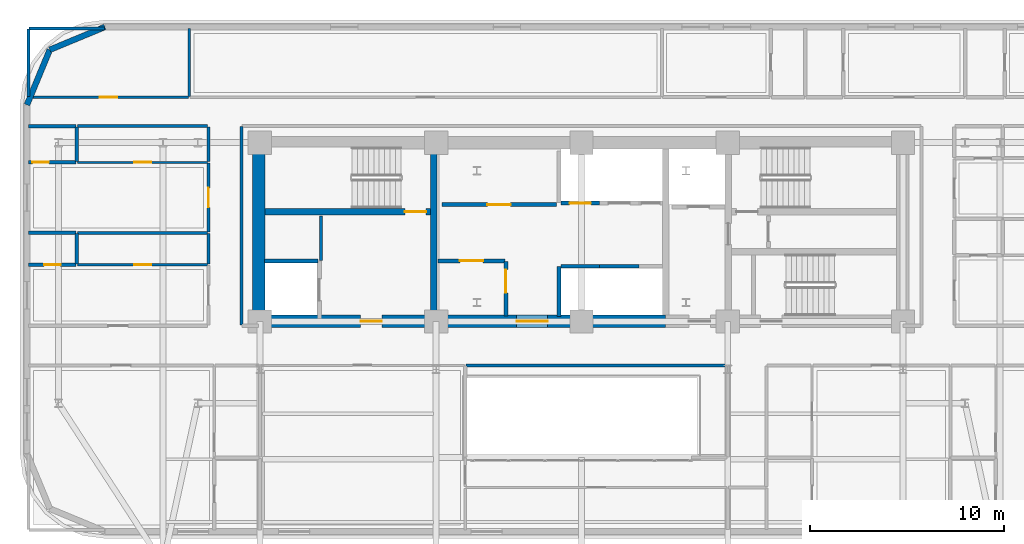
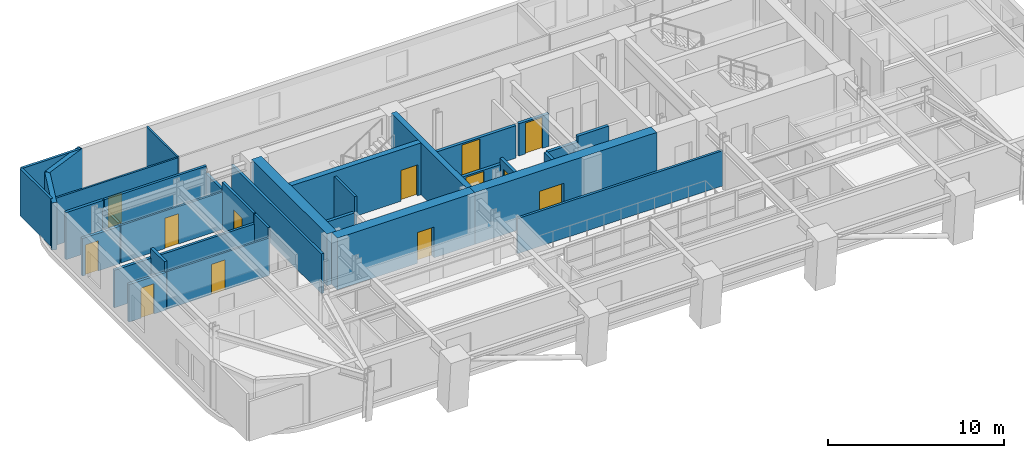
# One storey, part 8 of 14: 35 walls, 13 doors, 13 openings.
"""IFC4 building model written with IfcOpenShell, lengths in metres."""

from ifc_helpers import new_model, si_unit, direction, frame, frame_2d, origin, place, context, subcontext, project, spatial, rectangle, extrude, material, layer, layer_set, type_object, element, fill, save


model = new_model("IFC4")

# Units and contexts
model_context = context("Model", 3, precision=1e-05, world=origin(), true_north=direction((0.0, 1.0)))
body_context = subcontext(model_context, "Body", "Model", "MODEL_VIEW")
ifc_project = project(units=[si_unit("LENGTHUNIT", "METRE"), si_unit("AREAUNIT", "SQUARE_METRE"), si_unit("VOLUMEUNIT", "CUBIC_METRE"), si_unit("PLANEANGLEUNIT", "RADIAN"), si_unit("MASSUNIT", "GRAM", prefix="KILO")], contexts=[model_context])

# Site, building, storey
site_placement = place(None, origin())
site = spatial("IfcSite", under=ifc_project, at=site_placement, CompositionType="ELEMENT")
building_placement = place(site_placement, origin())
building = spatial("IfcBuilding", under=site, at=building_placement, Name="Zarnavel Station Tower", CompositionType="ELEMENT")
storey_placement = place(building_placement, frame((0.0, 0.0, 129.300048828125)))
storey = spatial("IfcBuildingStorey", under=building, at=storey_placement, Name="L35", CompositionType="ELEMENT", Elevation=129.300048828125)

# Wall
ifc_material_1 = material(Name="Concrete C50/60", Category="concrete")
ifc_layer_1 = layer(ifc_material_1, 0.35009765625)
ifc_layer_set_1 = layer_set([ifc_layer_1], Name="CW_350")
wall_type_1 = type_object("IfcWallType", Name="CW_350", PredefinedType="SHEAR", material=ifc_layer_set_1)
wall_1_placement = place(storey_placement, frame((21.179931640625, 28.14501953125, 0.0), z_axis=(0.0, 0.0, 1.0), x_axis=(0.0, 1.0, 0.0)))
element("IfcWall", 1, at=wall_1_placement, inside=storey, type_object=wall_type_1, Name="L35 Rear Core Shear Wall DIV-W", PredefinedType="SHEAR", context=body_context, shape_type="SweptSolid", body=[
    extrude(rectangle(XDim=8.580078125, YDim=0.35009765625, at=frame_2d((4.2900390625, 0.0))), origin(), (0.0, 0.0, 1.0), 3.599853515625),
])

# Wall, opening, door
wall_2_placement = place(storey_placement, frame((21.0048828125, 33.47998046875, 0.0), z_axis=(0.0, 0.0, 1.0), x_axis=(-1.0, 0.0, 0.0)))
wall_2 = element("IfcWall", 2, at=wall_2_placement, inside=storey, type_object=wall_type_1, Name="L35 Rear Core Shear Wall DIV-H1", PredefinedType="SHEAR", context=body_context, shape_type="SweptSolid", body=[
    extrude(rectangle(XDim=8.52978515625, YDim=0.35009765625, at=frame_2d((4.264892578125, 0.0))), origin(), (0.0, 0.0, 1.0), 3.599853515625),
])
opening_1_placement = place(wall_2_placement, frame((0.219970703125, 0.0, 0.0)))
opening_1 = element("IfcOpeningElement", 3, at=opening_1_placement, cuts=wall_2, Name="Opening FD01", PredefinedType="OPENING", context=body_context, shape_type="SweptSolid", body=[
    extrude(rectangle(XDim=1.10009765625, YDim=2.14990234375, at=frame_2d((0.550048828125, 1.074951171875))), frame((0.0, 0.18505859375, 0.0), z_axis=(0.0, -1.0, 0.0), x_axis=(1.0, 0.0, 0.0)), (0.0, 0.0, 1.0), 0.3701171875),
])
ifc_material_2 = material(Name="Painted Galvanised Steel and Hardwood Leaf", Category="steel")
door_type_1 = type_object("IfcDoorType", Name="ID_STAIR_1100", OperationType="NOTDEFINED", PredefinedType="DOOR", material=ifc_material_2)
door_1_placement = place(opening_1_placement, origin())
door_1 = element("IfcDoor", 4, at=door_1_placement, inside=storey, type_object=door_type_1, Name="L35 Stair ST1 Lobby Fire Door", OperationType="SINGLE_SWING_LEFT", OverallHeight=2.14990234375, OverallWidth=1.10009765625, PredefinedType="DOOR", context=body_context, shape_type="SweptSolid", body=[
    extrude(rectangle(XDim=1.10009765625, YDim=2.14990234375, at=frame_2d((0.550048828125, 1.074951171875))), frame((0.0, 0.02490234375, 0.0), z_axis=(0.0, -1.0, 0.0), x_axis=(1.0, 0.0, 0.0)), (0.0, 0.0, 1.0), 0.050048828125),
])
fill(opening_1, door_1)

ifc_material_3 = material(Name="Concrete C60/75", Category="concrete")
ifc_layer_2 = layer(ifc_material_3, 0.64990234375)
ifc_layer_set_2 = layer_set([ifc_layer_2], Name="CW_650")
wall_type_2 = type_object("IfcWallType", Name="CW_650", PredefinedType="SHEAR", material=ifc_layer_set_2)
wall_3_placement = place(storey_placement, frame((21.179931640625, 27.820068359375, 0.0), z_axis=(0.0, 0.0, 1.0), x_axis=(-1.0, 0.0, 0.0)))
wall_3 = element("IfcWall", 5, at=wall_3_placement, inside=storey, type_object=wall_type_2, Name="L35 Rear Core Shear Wall S-W", PredefinedType="SHEAR", context=body_context, shape_type="SweptSolid", body=[
    extrude(rectangle(XDim=9.030029296875, YDim=0.64990234375, at=frame_2d((4.51513671875, 0.0))), origin(), (0.0, 0.0, 1.0), 3.599853515625),
])
opening_2_placement = place(wall_3_placement, frame((2.679931640625, 0.0, 0.0)))
opening_2 = element("IfcOpeningElement", 6, at=opening_2_placement, cuts=wall_3, Name="Opening FD01", PredefinedType="OPENING", context=body_context, shape_type="SweptSolid", body=[
    extrude(rectangle(XDim=1.10009765625, YDim=2.14990234375, at=frame_2d((0.550048828125, 1.074951171875))), frame((0.0, 0.3349609375, 0.0), z_axis=(0.0, -1.0, 0.0), x_axis=(1.0, 0.0, 0.0)), (0.0, 0.0, 1.0), 0.669921875),
])
door_2_placement = place(opening_2_placement, origin())
door_2 = element("IfcDoor", 7, at=door_2_placement, inside=storey, type_object=door_type_1, Name="L35 West Firefighting Lobby Door", OperationType="SINGLE_SWING_RIGHT", OverallHeight=2.14990234375, OverallWidth=1.10009765625, PredefinedType="DOOR", context=body_context, shape_type="SweptSolid", body=[
    extrude(rectangle(XDim=1.10009765625, YDim=2.14990234375, at=frame_2d((0.550048828125, 1.074951171875))), frame((0.0, 0.02490234375, 0.0), z_axis=(0.0, -1.0, 0.0), x_axis=(1.0, 0.0, 0.0)), (0.0, 0.0, 1.0), 0.050048828125),
])
fill(opening_2, door_2)

wall_4_placement = place(storey_placement, frame((33.14990234375, 27.820068359375, 0.0), z_axis=(0.0, 0.0, 1.0), x_axis=(-1.0, 0.0, 0.0)))
wall_4 = element("IfcWall", 8, at=wall_4_placement, inside=storey, type_object=wall_type_2, Name="L35 Rear Core Shear Wall S-M", PredefinedType="SHEAR", context=body_context, shape_type="SweptSolid", body=[
    extrude(rectangle(XDim=11.969970703125, YDim=0.64990234375, at=frame_2d((5.98486328125, 0.0))), origin(), (0.0, 0.0, 1.0), 3.599853515625),
])
opening_3_placement = place(wall_4_placement, frame((6.10009765625, 0.0, 0.0)))
opening_3 = element("IfcOpeningElement", 9, at=opening_3_placement, cuts=wall_4, Name="Opening ID03", PredefinedType="OPENING", context=body_context, shape_type="SweptSolid", body=[
    extrude(rectangle(XDim=1.60009765625, YDim=2.199951171875, at=frame_2d((0.800048828125, 1.10009765625))), frame((0.0, 0.3349609375, 0.0), z_axis=(0.0, -1.0, 0.0), x_axis=(1.0, 0.0, 0.0)), (0.0, 0.0, 1.0), 0.669921875),
])
ifc_material_4 = material(Name="Painted Galvanised Steel and Hardwood Leaf", Category="steel")
door_type_2 = type_object("IfcDoorType", Name="ID_PUBLIC_1600", OperationType="DOUBLE_DOOR_SINGLE_SWING", PredefinedType="DOOR", material=ifc_material_4)
door_3_placement = place(opening_3_placement, origin())
door_3 = element("IfcDoor", 10, at=door_3_placement, inside=storey, type_object=door_type_2, Name="L35 Passenger Lift Lobby Double Door", OperationType="SINGLE_SWING_LEFT", OverallHeight=2.199951171875, OverallWidth=1.60009765625, PredefinedType="DOOR", context=body_context, shape_type="SweptSolid", body=[
    extrude(rectangle(XDim=1.60009765625, YDim=2.199951171875, at=frame_2d((0.800048828125, 1.10009765625))), frame((0.0, 0.02490234375, 0.0), z_axis=(0.0, -1.0, 0.0), x_axis=(1.0, 0.0, 0.0)), (0.0, 0.0, 1.0), 0.050048828125),
])
fill(opening_3, door_3)

# Walls
wall_5_placement = place(storey_placement, frame((12.14990234375, 28.14501953125, 0.0), z_axis=(0.0, 0.0, 1.0), x_axis=(0.0, 1.0, 0.0)))
element("IfcWall", 11, at=wall_5_placement, inside=storey, type_object=wall_type_2, Name="L35 Rear Core Shear Wall W", PredefinedType="SHEAR", context=body_context, shape_type="SweptSolid", body=[
    extrude(rectangle(XDim=8.580078125, YDim=0.64990234375, at=frame_2d((4.2900390625, 0.0))), origin(), (0.0, 0.0, 1.0), 3.599853515625),
])
ifc_material_5 = material(Name="Precast concrete C45/55 (Dark Basalt Finish)", Category="masonry")
ifc_layer_3 = layer(ifc_material_5, 0.300048828125)
ifc_layer_set_3 = layer_set([ifc_layer_3], Name="EW_BASALT_300")
wall_type_3 = type_object("IfcWallType", Name="EW_BASALT_300", PredefinedType="SOLIDWALL", material=ifc_layer_set_3)
for number, where, z_axis, x_axis, name in (
    (12, (1.357421875, 41.842529296875, 0.0), (0.0, 0.0, 1.0), (0.923870793506, 0.382704529509, 0.0), "L35 Exterior Basalt Masonry Frame Wall 07"),
    (13, (0.179931640625, 39.0, 0.0), (0.0, 0.0, 1.0), (0.382704529509, 0.923870793506, 0.0), "L35 Exterior Basalt Masonry Frame Wall 08"),
):
    element("IfcWall", number, at=place(storey_placement, frame(where, z_axis=z_axis, x_axis=x_axis)), inside=storey, type_object=wall_type_3, Name=name, PredefinedType="SOLIDWALL", context=body_context, shape_type="SweptSolid", body=[
        extrude(rectangle(XDim=3.07666015625, YDim=0.300048828125, at=frame_2d((1.538330078125, 0.0))), origin(), (0.0, 0.0, 1.0), 3.280029296875),
    ])
ifc_material_6 = material(Name="Gypsum Twin-Stud Acoustic Fire Partition", Category="concrete")
ifc_layer_4 = layer(ifc_material_6, 0.159912109375)
ifc_layer_set_4 = layer_set([ifc_layer_4], Name="PT_DEMISE_160")
wall_type_4 = type_object("IfcWallType", Name="PT_DEMISE_160", PredefinedType="PARTITIONING", material=ifc_layer_set_4)
wall_6_placement = place(storey_placement, frame((9.550048828125, 30.781005859375, 0.0), z_axis=(0.0, 0.0, 1.0), x_axis=(0.0, 1.0, 0.0)))
element("IfcWall", 14, at=wall_6_placement, inside=storey, type_object=wall_type_4, Name="L35 Partition COR-W-FNW1S", PredefinedType="PARTITIONING", context=body_context, shape_type="SweptSolid", body=[
    extrude(rectangle(XDim=1.570068359375, YDim=0.159912109375, at=frame_2d((0.78515625, 0.0))), origin(), (0.0, 0.0, 1.0), 3.280029296875),
])

# Wall, opening, door
wall_7_placement = place(storey_placement, frame((9.550048828125, 32.430908203125, 0.0), z_axis=(0.0, 0.0, 1.0), x_axis=(0.0, 1.0, 0.0)))
wall_7 = element("IfcWall", 15, at=wall_7_placement, inside=storey, type_object=wall_type_4, Name="L35 Partition COR-W-FNW2R", PredefinedType="PARTITIONING", context=body_context, shape_type="SweptSolid", body=[
    extrude(rectangle(XDim=3.55615234375, YDim=0.159912109375, at=frame_2d((1.778076171875, 0.0))), origin(), (0.0, 0.0, 1.0), 3.280029296875),
])
opening_4_placement = place(wall_7_placement, frame((1.278076171875, 0.0, 0.0)))
opening_4 = element("IfcOpeningElement", 16, at=opening_4_placement, cuts=wall_7, Name="Opening FD02", PredefinedType="OPENING", context=body_context, shape_type="SweptSolid", body=[
    extrude(rectangle(XDim=1.0, YDim=2.14990234375, at=frame_2d((0.5, 1.074951171875))), frame((0.0, 0.08984375, 0.0), z_axis=(0.0, -1.0, 0.0), x_axis=(1.0, 0.0, 0.0)), (0.0, 0.0, 1.0), 0.179931640625),
])
ifc_material_7 = material(Name="Painted Galvanised Steel and Hardwood Leaf", Category="steel")
door_type_3 = type_object("IfcDoorType", Name="ID_ENTRY_1000", OperationType="NOTDEFINED", PredefinedType="DOOR", material=ifc_material_7)
door_4_placement = place(opening_4_placement, origin())
door_4 = element("IfcDoor", 17, at=door_4_placement, inside=storey, type_object=door_type_3, Name="L35 Door COR-W-FNW2R", OperationType="SINGLE_SWING_RIGHT", OverallHeight=2.14990234375, OverallWidth=1.0, PredefinedType="DOOR", context=body_context, shape_type="SweptSolid", body=[
    extrude(rectangle(XDim=1.0, YDim=2.14990234375, at=frame_2d((0.5, 1.074951171875))), frame((0.0, 0.02490234375, 0.0), z_axis=(0.0, -1.0, 0.0), x_axis=(1.0, 0.0, 0.0)), (0.0, 0.0, 1.0), 0.050048828125),
])
fill(opening_4, door_4)

# Walls
wall_8_placement = place(storey_placement, frame((9.550048828125, 36.06689453125, 0.0), z_axis=(0.0, 0.0, 1.0), x_axis=(0.0, 1.0, 0.0)))
element("IfcWall", 18, at=wall_8_placement, inside=storey, type_object=wall_type_4, Name="L35 Partition COR-W-FNW2S", PredefinedType="PARTITIONING", context=body_context, shape_type="SweptSolid", body=[
    extrude(rectangle(XDim=1.793212890625, YDim=0.159912109375, at=frame_2d((0.896484375, 0.0))), origin(), (0.0, 0.0, 1.0), 2.760009765625),
])
wall_9_placement = place(storey_placement, frame((2.800048828125, 37.89990234375, 0.0), z_axis=(0.0, 0.0, 1.0), x_axis=(1.0, 0.0, 0.0)))
element("IfcWall", 19, at=wall_9_placement, inside=storey, type_object=wall_type_4, Name="L35 Partition COR-N-FNW2S", PredefinedType="PARTITIONING", context=body_context, shape_type="SweptSolid", body=[
    extrude(rectangle(XDim=6.7099609375, YDim=0.159912109375, at=frame_2d((3.35498046875, 0.0))), origin(), (0.0, 0.0, 1.0), 3.280029296875),
])
wall_10_placement = place(storey_placement, frame((2.800048828125, 32.39111328125, 0.0), z_axis=(0.0, 0.0, 1.0), x_axis=(1.0, 0.0, 0.0)))
element("IfcWall", 20, at=wall_10_placement, inside=storey, type_object=wall_type_4, Name="L35 Partition FNW1S-FNW2R", PredefinedType="PARTITIONING", context=body_context, shape_type="SweptSolid", body=[
    extrude(rectangle(XDim=6.7099609375, YDim=0.159912109375, at=frame_2d((3.35498046875, 0.0))), origin(), (0.0, 0.0, 1.0), 2.60986328125),
])
wall_11_placement = place(storey_placement, frame((15.35009765625, 30.9599609375, 0.0), z_axis=(0.0, 0.0, 1.0), x_axis=(0.0, 1.0, 0.0)))
element("IfcWall", 21, at=wall_11_placement, inside=storey, type_object=wall_type_4, Name="L35 Enclosure Wall FFL1", PredefinedType="PARTITIONING", context=body_context, shape_type="SweptSolid", body=[
    extrude(rectangle(XDim=2.31005859375, YDim=0.159912109375, at=frame_2d((1.155029296875, 0.0))), origin(), (0.0, 0.0, 1.0), 3.280029296875),
])
wall_12_placement = place(storey_placement, frame((22.830078125, 25.550048828125, 0.0), z_axis=(0.0, 0.0, 1.0), x_axis=(1.0, 0.0, 0.0)))
element("IfcWall", 22, at=wall_12_placement, inside=storey, type_object=wall_type_4, Name="L35 Enclosure Wall COR-S", PredefinedType="PARTITIONING", context=body_context, shape_type="SweptSolid", body=[
    extrude(rectangle(XDim=13.489990234375, YDim=0.159912109375, at=frame_2d((6.7451171875, 0.0))), origin(), (0.0, 0.0, 1.0), 2.446044921875),
])
wall_13_placement = place(storey_placement, frame((11.25, 27.6298828125, 0.0), z_axis=(0.0, 0.0, 1.0), x_axis=(0.0, 1.0, 0.0)))
element("IfcWall", 23, at=wall_13_placement, inside=storey, type_object=wall_type_4, Name="L35 Enclosure Wall COR-W", PredefinedType="PARTITIONING", context=body_context, shape_type="SweptSolid", body=[
    extrude(rectangle(XDim=10.240234375, YDim=0.159912109375, at=frame_2d((5.1201171875, 0.0))), origin(), (0.0, 0.0, 1.0), 2.760009765625),
])
wall_14_placement = place(storey_placement, frame((0.2900390625, 42.93994140625, 0.0), z_axis=(0.0, 0.0, 1.0), x_axis=(1.0, 0.0, 0.0)))
element("IfcWall", 24, at=wall_14_placement, inside=storey, type_object=wall_type_4, Name="L35 Enclosure Wall HSKP", PredefinedType="PARTITIONING", context=body_context, shape_type="SweptSolid", body=[
    extrude(rectangle(XDim=3.8798828125, YDim=0.159912109375, at=frame_2d((1.93994140625, 0.0))), origin(), (0.0, 0.0, 1.0), 3.280029296875),
])
wall_15_placement = place(storey_placement, frame((0.260009765625, 39.429931640625, 0.0), z_axis=(0.0, 0.0, 1.0), x_axis=(0.0, 1.0, 0.0)))
element("IfcWall", 25, at=wall_15_placement, inside=storey, type_object=wall_type_4, Name="L35 Enclosure Wall HSKP", PredefinedType="PARTITIONING", context=body_context, shape_type="SweptSolid", body=[
    extrude(rectangle(XDim=3.47998046875, YDim=0.159912109375, at=frame_2d((1.739990234375, 0.0))), origin(), (0.0, 0.0, 1.0), 3.280029296875),
])

# Wall, opening, door
ifc_material_8 = material(Name="Gypsum Metal-Stud Interior Partition", Category="concrete")
ifc_layer_5 = layer(ifc_material_8, 0.1201171875)
ifc_layer_set_5 = layer_set([ifc_layer_5], Name="PT_ROOM_120")
wall_type_5 = type_object("IfcWallType", Name="PT_ROOM_120", PredefinedType="PARTITIONING", material=ifc_layer_set_5)
wall_16_placement = place(storey_placement, frame((0.260009765625, 39.39990234375, 0.0), z_axis=(0.0, 0.0, 1.0), x_axis=(1.0, 0.0, 0.0)))
wall_16 = element("IfcWall", 26, at=wall_16_placement, inside=storey, type_object=wall_type_5, Name="L35 Partition COR-N-HSKP", PredefinedType="PARTITIONING", context=body_context, shape_type="SweptSolid", body=[
    extrude(rectangle(XDim=8.260009765625, YDim=0.1201171875, at=frame_2d((4.1298828125, 0.0))), origin(), (0.0, 0.0, 1.0), 3.280029296875),
])
opening_5_placement = place(wall_16_placement, frame((3.679931640625, 0.0, 0.0)))
opening_5 = element("IfcOpeningElement", 27, at=opening_5_placement, cuts=wall_16, Name="Opening ID01", PredefinedType="OPENING", context=body_context, shape_type="SweptSolid", body=[
    extrude(rectangle(XDim=0.89990234375, YDim=2.10009765625, at=frame_2d((0.449951171875, 1.050048828125))), frame((0.0, 0.070068359375, 0.0), z_axis=(0.0, -1.0, 0.0), x_axis=(1.0, 0.0, 0.0)), (0.0, 0.0, 1.0), 0.14013671875),
])
ifc_material_9 = material(Name="Painted Galvanised Steel and Hardwood Leaf", Category="steel")
door_type_4 = type_object("IfcDoorType", Name="ID_ROOM_900", OperationType="NOTDEFINED", PredefinedType="DOOR", material=ifc_material_9)
door_5_placement = place(opening_5_placement, origin())
door_5 = element("IfcDoor", 28, at=door_5_placement, inside=storey, type_object=door_type_4, Name="L35 Door COR-N-HSKP", OperationType="SINGLE_SWING_LEFT", OverallHeight=2.10009765625, OverallWidth=0.89990234375, PredefinedType="DOOR", context=body_context, shape_type="SweptSolid", body=[
    extrude(rectangle(XDim=0.89990234375, YDim=2.10009765625, at=frame_2d((0.449951171875, 1.050048828125))), frame((0.0, 0.02490234375, 0.0), z_axis=(0.0, -1.0, 0.0), x_axis=(1.0, 0.0, 0.0)), (0.0, 0.0, 1.0), 0.050048828125),
])
fill(opening_5, door_5)

wall_17_placement = place(storey_placement, frame((2.800048828125, 30.740966796875, 0.0), z_axis=(0.0, 0.0, 1.0), x_axis=(1.0, 0.0, 0.0)))
wall_17 = element("IfcWall", 29, at=wall_17_placement, inside=storey, type_object=wall_type_5, Name="L35 Partition FNW1R-FNW1S", PredefinedType="PARTITIONING", context=body_context, shape_type="SweptSolid", body=[
    extrude(rectangle(XDim=6.7099609375, YDim=0.1201171875, at=frame_2d((3.35498046875, 0.0))), origin(), (0.0, 0.0, 1.0), 2.60986328125),
])
opening_6_placement = place(wall_17_placement, frame((2.905029296875, 0.0, 0.0)))
opening_6 = element("IfcOpeningElement", 30, at=opening_6_placement, cuts=wall_17, Name="Opening ID01", PredefinedType="OPENING", context=body_context, shape_type="SweptSolid", body=[
    extrude(rectangle(XDim=0.89990234375, YDim=2.10009765625, at=frame_2d((0.449951171875, 1.050048828125))), frame((0.0, 0.070068359375, 0.0), z_axis=(0.0, -1.0, 0.0), x_axis=(1.0, 0.0, 0.0)), (0.0, 0.0, 1.0), 0.14013671875),
])
door_6_placement = place(opening_6_placement, origin())
door_6 = element("IfcDoor", 31, at=door_6_placement, inside=storey, type_object=door_type_4, Name="L35 Door FNW1R-FNW1S", OperationType="SINGLE_SWING_LEFT", OverallHeight=2.10009765625, OverallWidth=0.89990234375, PredefinedType="DOOR", context=body_context, shape_type="SweptSolid", body=[
    extrude(rectangle(XDim=0.89990234375, YDim=2.10009765625, at=frame_2d((0.449951171875, 1.050048828125))), frame((0.0, 0.02490234375, 0.0), z_axis=(0.0, -1.0, 0.0), x_axis=(1.0, 0.0, 0.0)), (0.0, 0.0, 1.0), 0.050048828125),
])
fill(opening_6, door_6)

wall_18_placement = place(storey_placement, frame((2.800048828125, 36.027099609375, 0.0), z_axis=(0.0, 0.0, 1.0), x_axis=(1.0, 0.0, 0.0)))
wall_18 = element("IfcWall", 32, at=wall_18_placement, inside=storey, type_object=wall_type_5, Name="L35 Partition FNW2R-FNW2S", PredefinedType="PARTITIONING", context=body_context, shape_type="SweptSolid", body=[
    extrude(rectangle(XDim=6.7099609375, YDim=0.1201171875, at=frame_2d((3.35498046875, 0.0))), origin(), (0.0, 0.0, 1.0), 2.60986328125),
])
opening_7_placement = place(wall_18_placement, frame((2.905029296875, 0.0, 0.0)))
opening_7 = element("IfcOpeningElement", 33, at=opening_7_placement, cuts=wall_18, Name="Opening ID01", PredefinedType="OPENING", context=body_context, shape_type="SweptSolid", body=[
    extrude(rectangle(XDim=0.89990234375, YDim=2.10009765625, at=frame_2d((0.449951171875, 1.050048828125))), frame((0.0, 0.070068359375, 0.0), z_axis=(0.0, -1.0, 0.0), x_axis=(1.0, 0.0, 0.0)), (0.0, 0.0, 1.0), 0.14013671875),
])
door_7_placement = place(opening_7_placement, origin())
door_7 = element("IfcDoor", 34, at=door_7_placement, inside=storey, type_object=door_type_4, Name="L35 Door FNW2R-FNW2S", OperationType="SINGLE_SWING_LEFT", OverallHeight=2.10009765625, OverallWidth=0.89990234375, PredefinedType="DOOR", context=body_context, shape_type="SweptSolid", body=[
    extrude(rectangle(XDim=0.89990234375, YDim=2.10009765625, at=frame_2d((0.449951171875, 1.050048828125))), frame((0.0, 0.02490234375, 0.0), z_axis=(0.0, -1.0, 0.0), x_axis=(1.0, 0.0, 0.0)), (0.0, 0.0, 1.0), 0.050048828125),
])
fill(opening_7, door_7)

# Walls
wall_19_placement = place(storey_placement, frame((8.56005859375, 39.43994140625, 0.0), z_axis=(0.0, 0.0, 1.0), x_axis=(0.0, 1.0, 0.0)))
element("IfcWall", 35, at=wall_19_placement, inside=storey, type_object=wall_type_5, Name="L35 Partition HSKP-NCLB", PredefinedType="PARTITIONING", context=body_context, shape_type="SweptSolid", body=[
    extrude(rectangle(XDim=3.5, YDim=0.1201171875, at=frame_2d((1.75, 0.0))), origin(), (0.0, 0.0, 1.0), 3.280029296875),
])
ifc_material_10 = material(Name="Precast concrete C45/55 (Fire Shaft Blockwork)", Category="masonry")
ifc_layer_6 = layer(ifc_material_10, 0.199951171875)
ifc_layer_set_6 = layer_set([ifc_layer_6], Name="PT_SHAFT_200")
wall_type_6 = type_object("IfcWallType", Name="PT_SHAFT_200", PredefinedType="PARTITIONING", material=ifc_layer_set_6)
wall_20_placement = place(storey_placement, frame((12.449951171875, 30.949951171875, 0.0), z_axis=(0.0, 0.0, 1.0), x_axis=(1.0, 0.0, 0.0)))
element("IfcWall", 36, at=wall_20_placement, inside=storey, type_object=wall_type_6, Name="L35 Lift FFL-01 North Shaft Wall", PredefinedType="PARTITIONING", context=body_context, shape_type="SweptSolid", body=[
    extrude(rectangle(XDim=2.75, YDim=0.199951171875, at=frame_2d((1.375, 0.0))), origin(), (0.0, 0.0, 1.0), 2.251953125),
])
wall_21_placement = place(storey_placement, frame((27.75, 30.669921875, 0.0), z_axis=(0.0, 0.0, 1.0), x_axis=(1.0, 0.0, 0.0)))
element("IfcWall", 37, at=wall_21_placement, inside=storey, type_object=wall_type_6, Name="L35 Lift PL-H1 Shaft Front Wall", PredefinedType="PARTITIONING", context=body_context, shape_type="SweptSolid", body=[
    extrude(rectangle(XDim=1.97509765625, YDim=0.199951171875, at=frame_2d((0.987548828125, 0.0))), origin(), (0.0, 0.0, 1.0), 2.251953125),
])
wall_22_placement = place(storey_placement, frame((27.64990234375, 28.070068359375, 0.0), z_axis=(0.0, 0.0, 1.0), x_axis=(0.0, 1.0, 0.0)))
element("IfcWall", 38, at=wall_22_placement, inside=storey, type_object=wall_type_6, Name="L35 High-Rise Lift Bank West Shaft Wall", PredefinedType="PARTITIONING", context=body_context, shape_type="SweptSolid", body=[
    extrude(rectangle(XDim=2.579833984375, YDim=0.199951171875, at=frame_2d((1.2900390625, 0.0))), origin(), (0.0, 0.0, 1.0), 2.251953125),
])
wall_23_placement = place(storey_placement, frame((29.72509765625, 30.669921875, 0.0), z_axis=(0.0, 0.0, 1.0), x_axis=(1.0, 0.0, 0.0)))
element("IfcWall", 39, at=wall_23_placement, inside=storey, type_object=wall_type_6, Name="L35 Lift PL-H2 Shaft Front Wall", PredefinedType="PARTITIONING", context=body_context, shape_type="SweptSolid", body=[
    extrude(rectangle(XDim=2.0498046875, YDim=0.199951171875, at=frame_2d((1.02490234375, 0.0))), origin(), (0.0, 0.0, 1.0), 2.659912109375),
])

# Wall, opening, door
wall_24_placement = place(storey_placement, frame((27.75, 33.929931640625, 0.0), z_axis=(0.0, 0.0, 1.0), x_axis=(1.0, 0.0, 0.0)))
wall_24 = element("IfcWall", 40, at=wall_24_placement, inside=storey, type_object=wall_type_6, Name="L35 Lift PL-M1 Shaft Front Wall", PredefinedType="PARTITIONING", context=body_context, shape_type="SweptSolid", body=[
    extrude(rectangle(XDim=1.97509765625, YDim=0.199951171875, at=frame_2d((0.987548828125, 0.0))), origin(), (0.0, 0.0, 1.0), 2.251953125),
])
opening_8_placement = place(wall_24_placement, frame((0.4375, 0.0, 0.0)))
opening_8 = element("IfcOpeningElement", 41, at=opening_8_placement, cuts=wall_24, Name="Opening LD02", PredefinedType="OPENING", context=body_context, shape_type="SweptSolid", body=[
    extrude(rectangle(XDim=1.10009765625, YDim=2.14990234375, at=frame_2d((0.550048828125, 1.074951171875))), frame((0.0, 0.10986328125, 0.0), z_axis=(0.0, -1.0, 0.0), x_axis=(1.0, 0.0, 0.0)), (0.0, 0.0, 1.0), 0.219970703125),
])
ifc_material_11 = material(Name="Painted Galvanised Steel and Hardwood Leaf", Category="steel")
door_type_5 = type_object("IfcDoorType", Name="LD_PAX_1100", OperationType="DOUBLE_DOOR_SLIDING", PredefinedType="DOOR", material=ifc_material_11)
door_8_placement = place(opening_8_placement, origin())
door_8 = element("IfcDoor", 42, at=door_8_placement, inside=storey, type_object=door_type_5, Name="L35 Lift PL-M1 Sliding Landing Door", OperationType="DOUBLE_DOOR_SLIDING", OverallHeight=2.14990234375, OverallWidth=1.10009765625, PredefinedType="DOOR", context=body_context, shape_type="SweptSolid", body=[
    extrude(rectangle(XDim=1.10009765625, YDim=2.14990234375, at=frame_2d((0.550048828125, 1.074951171875))), frame((0.0, 0.02490234375, 0.0), z_axis=(0.0, -1.0, 0.0), x_axis=(1.0, 0.0, 0.0)), (0.0, 0.0, 1.0), 0.050048828125),
])
fill(opening_8, door_8)

wall_25_placement = place(storey_placement, frame((21.39990234375, 30.949951171875, 0.0), z_axis=(0.0, 0.0, 1.0), x_axis=(1.0, 0.0, 0.0)))
wall_25 = element("IfcWall", 43, at=wall_25_placement, inside=storey, type_object=wall_type_6, Name="L35 Partition LLOB-CS1", PredefinedType="PARTITIONING", context=body_context, shape_type="SweptSolid", body=[
    extrude(rectangle(XDim=3.460205078125, YDim=0.199951171875, at=frame_2d((1.72998046875, 0.0))), origin(), (0.0, 0.0, 1.0), 2.251953125),
])
opening_9_placement = place(wall_25_placement, frame((1.1298828125, 0.0, 0.0)))
opening_9 = element("IfcOpeningElement", 44, at=opening_9_placement, cuts=wall_25, Name="Opening FD03", PredefinedType="OPENING", context=body_context, shape_type="SweptSolid", body=[
    extrude(rectangle(XDim=1.199951171875, YDim=2.14990234375, at=frame_2d((0.60009765625, 1.074951171875))), frame((0.0, 0.10986328125, 0.0), z_axis=(0.0, -1.0, 0.0), x_axis=(1.0, 0.0, 0.0)), (0.0, 0.0, 1.0), 0.219970703125),
])
ifc_material_12 = material(Name="Painted Galvanised Steel and Hardwood Leaf", Category="steel")
door_type_6 = type_object("IfcDoorType", Name="ID_PLANT_1200", OperationType="NOTDEFINED", PredefinedType="DOOR", material=ifc_material_12)
door_9_placement = place(opening_9_placement, origin())
door_9 = element("IfcDoor", 45, at=door_9_placement, inside=storey, type_object=door_type_6, Name="L35 Door LLOB-CS1", OperationType="SINGLE_SWING_RIGHT", OverallHeight=2.14990234375, OverallWidth=1.199951171875, PredefinedType="DOOR", context=body_context, shape_type="SweptSolid", body=[
    extrude(rectangle(XDim=1.199951171875, YDim=2.14990234375, at=frame_2d((0.60009765625, 1.074951171875))), frame((0.0, 0.02490234375, 0.0), z_axis=(0.0, -1.0, 0.0), x_axis=(1.0, 0.0, 0.0)), (0.0, 0.0, 1.0), 0.050048828125),
])
fill(opening_9, door_9)

wall_26_placement = place(storey_placement, frame((21.590087890625, 33.85009765625, 0.0), z_axis=(0.0, 0.0, 1.0), x_axis=(1.0, 0.0, 0.0)))
wall_26 = element("IfcWall", 46, at=wall_26_placement, inside=storey, type_object=wall_type_6, Name="L35 Partition LLOB-FB1A", PredefinedType="PARTITIONING", context=body_context, shape_type="SweptSolid", body=[
    extrude(rectangle(XDim=5.919921875, YDim=0.199951171875, at=frame_2d((2.9599609375, 0.0))), origin(), (0.0, 0.0, 1.0), 2.251953125),
])
opening_10_placement = place(wall_26_placement, frame((2.360107421875, 0.0, 0.0)))
opening_10 = element("IfcOpeningElement", 47, at=opening_10_placement, cuts=wall_26, Name="Opening FD03", PredefinedType="OPENING", context=body_context, shape_type="SweptSolid", body=[
    extrude(rectangle(XDim=1.199951171875, YDim=2.14990234375, at=frame_2d((0.60009765625, 1.074951171875))), frame((0.0, 0.10986328125, 0.0), z_axis=(0.0, -1.0, 0.0), x_axis=(1.0, 0.0, 0.0)), (0.0, 0.0, 1.0), 0.219970703125),
])
door_10_placement = place(opening_10_placement, origin())
door_10 = element("IfcDoor", 48, at=door_10_placement, inside=storey, type_object=door_type_6, Name="L35 Door LLOB-FB1A", OperationType="SINGLE_SWING_LEFT", OverallHeight=2.14990234375, OverallWidth=1.199951171875, PredefinedType="DOOR", context=body_context, shape_type="SweptSolid", body=[
    extrude(rectangle(XDim=1.199951171875, YDim=2.14990234375, at=frame_2d((0.60009765625, 1.074951171875))), frame((0.0, 0.02490234375, 0.0), z_axis=(0.0, -1.0, 0.0), x_axis=(1.0, 0.0, 0.0)), (0.0, 0.0, 1.0), 0.050048828125),
])
fill(opening_10, door_10)

wall_27_placement = place(storey_placement, frame((24.89990234375, 28.090087890625, 0.0), z_axis=(0.0, 0.0, 1.0), x_axis=(0.0, 1.0, 0.0)))
wall_27 = element("IfcWall", 49, at=wall_27_placement, inside=storey, type_object=wall_type_6, Name="L35 Partition LLOBS-CS1", PredefinedType="PARTITIONING", context=body_context, shape_type="SweptSolid", body=[
    extrude(rectangle(XDim=2.81982421875, YDim=0.199951171875, at=frame_2d((1.409912109375, 0.0))), origin(), (0.0, 0.0, 1.0), 2.659912109375),
])
opening_11_placement = place(wall_27_placement, frame((1.20068359375, 0.0, 0.0)))
opening_11 = element("IfcOpeningElement", 50, at=opening_11_placement, cuts=wall_27, Name="Opening FD03", PredefinedType="OPENING", context=body_context, shape_type="SweptSolid", body=[
    extrude(rectangle(XDim=1.199951171875, YDim=2.14990234375, at=frame_2d((0.60009765625, 1.074951171875))), frame((0.0, 0.10986328125, 0.0), z_axis=(0.0, -1.0, 0.0), x_axis=(1.0, 0.0, 0.0)), (0.0, 0.0, 1.0), 0.219970703125),
])
door_11_placement = place(opening_11_placement, origin())
door_11 = element("IfcDoor", 51, at=door_11_placement, inside=storey, type_object=door_type_6, Name="L35 Door LLOBS-CS1", OperationType="SINGLE_SWING_RIGHT", OverallHeight=2.14990234375, OverallWidth=1.199951171875, PredefinedType="DOOR", context=body_context, shape_type="SweptSolid", body=[
    extrude(rectangle(XDim=1.199951171875, YDim=2.14990234375, at=frame_2d((0.60009765625, 1.074951171875))), frame((0.0, 0.02490234375, 0.0), z_axis=(0.0, -1.0, 0.0), x_axis=(1.0, 0.0, 0.0)), (0.0, 0.0, 1.0), 0.050048828125),
])
fill(opening_11, door_11)

# Wall
ifc_material_13 = material(Name="Moisture-Resistant Plumbing Chase Wall", Category="concrete")
ifc_layer_7 = layer(ifc_material_13, 0.179931640625)
ifc_layer_set_7 = layer_set([ifc_layer_7], Name="PW_PLUMB_180")
wall_type_7 = type_object("IfcWallType", Name="PW_PLUMB_180", PredefinedType="PLUMBINGWALL", material=ifc_layer_set_7)
wall_28_placement = place(storey_placement, frame((0.260009765625, 37.89990234375, 0.0), z_axis=(0.0, 0.0, 1.0), x_axis=(1.0, 0.0, 0.0)))
element("IfcWall", 52, at=wall_28_placement, inside=storey, type_object=wall_type_7, Name="L35 Partition COR-N-FNW2B", PredefinedType="PLUMBINGWALL", context=body_context, shape_type="SweptSolid", body=[
    extrude(rectangle(XDim=2.4599609375, YDim=0.179931640625, at=frame_2d((1.22998046875, 0.0))), origin(), (0.0, 0.0, 1.0), 3.280029296875),
])

# Wall, opening, door
wall_29_placement = place(storey_placement, frame((0.260009765625, 30.740966796875, 0.0), z_axis=(0.0, 0.0, 1.0), x_axis=(1.0, 0.0, 0.0)))
wall_29 = element("IfcWall", 53, at=wall_29_placement, inside=storey, type_object=wall_type_7, Name="L35 Partition FNW1R-FNW1B", PredefinedType="PLUMBINGWALL", context=body_context, shape_type="SweptSolid", body=[
    extrude(rectangle(XDim=2.4599609375, YDim=0.179931640625, at=frame_2d((1.22998046875, 0.0))), origin(), (0.0, 0.0, 1.0), 2.60986328125),
])
opening_12_placement = place(wall_29_placement, frame((0.804931640625, 0.0, 0.0)))
opening_12 = element("IfcOpeningElement", 54, at=opening_12_placement, cuts=wall_29, Name="Opening ID02", PredefinedType="OPENING", context=body_context, shape_type="SweptSolid", body=[
    extrude(rectangle(XDim=0.85009765625, YDim=2.10009765625, at=frame_2d((0.425048828125, 1.050048828125))), frame((0.0, 0.099853515625, 0.0), z_axis=(0.0, -1.0, 0.0), x_axis=(1.0, 0.0, 0.0)), (0.0, 0.0, 1.0), 0.199951171875),
])
ifc_material_14 = material(Name="Painted Galvanised Steel and Hardwood Leaf", Category="steel")
door_type_7 = type_object("IfcDoorType", Name="ID_BATH_850", OperationType="NOTDEFINED", PredefinedType="DOOR", material=ifc_material_14)
door_12_placement = place(opening_12_placement, origin())
door_12 = element("IfcDoor", 55, at=door_12_placement, inside=storey, type_object=door_type_7, Name="L35 Door FNW1R-FNW1B", OperationType="SINGLE_SWING_RIGHT", OverallHeight=2.10009765625, OverallWidth=0.85009765625, PredefinedType="DOOR", context=body_context, shape_type="SweptSolid", body=[
    extrude(rectangle(XDim=0.85009765625, YDim=2.10009765625, at=frame_2d((0.425048828125, 1.050048828125))), frame((0.0, 0.02490234375, 0.0), z_axis=(0.0, -1.0, 0.0), x_axis=(1.0, 0.0, 0.0)), (0.0, 0.0, 1.0), 0.050048828125),
])
fill(opening_12, door_12)

# Walls
wall_30_placement = place(storey_placement, frame((2.760009765625, 30.781005859375, 0.0), z_axis=(0.0, 0.0, 1.0), x_axis=(0.0, 1.0, 0.0)))
element("IfcWall", 56, at=wall_30_placement, inside=storey, type_object=wall_type_7, Name="L35 Partition FNW1B-FNW1S", PredefinedType="PLUMBINGWALL", context=body_context, shape_type="SweptSolid", body=[
    extrude(rectangle(XDim=1.570068359375, YDim=0.179931640625, at=frame_2d((0.78515625, 0.0))), origin(), (0.0, 0.0, 1.0), 3.280029296875),
])
wall_31_placement = place(storey_placement, frame((0.260009765625, 32.39111328125, 0.0), z_axis=(0.0, 0.0, 1.0), x_axis=(1.0, 0.0, 0.0)))
element("IfcWall", 57, at=wall_31_placement, inside=storey, type_object=wall_type_7, Name="L35 Partition FNW1B-FNW2R", PredefinedType="PLUMBINGWALL", context=body_context, shape_type="SweptSolid", body=[
    extrude(rectangle(XDim=2.4599609375, YDim=0.179931640625, at=frame_2d((1.22998046875, 0.0))), origin(), (0.0, 0.0, 1.0), 2.60986328125),
])

# Wall, opening, door
wall_32_placement = place(storey_placement, frame((2.719970703125, 36.027099609375, 0.0), z_axis=(0.0, 0.0, 1.0), x_axis=(-1.0, 0.0, 0.0)))
wall_32 = element("IfcWall", 58, at=wall_32_placement, inside=storey, type_object=wall_type_7, Name="L35 Partition FNW2R-FNW2B", PredefinedType="PLUMBINGWALL", context=body_context, shape_type="SweptSolid", body=[
    extrude(rectangle(XDim=2.4599609375, YDim=0.179931640625, at=frame_2d((1.22998046875, 0.0))), origin(), (0.0, 0.0, 1.0), 2.60986328125),
])
opening_13_placement = place(wall_32_placement, frame((1.41455078125, 0.0, 0.0)))
opening_13 = element("IfcOpeningElement", 59, at=opening_13_placement, cuts=wall_32, Name="Opening ID02", PredefinedType="OPENING", context=body_context, shape_type="SweptSolid", body=[
    extrude(rectangle(XDim=0.85009765625, YDim=2.10009765625, at=frame_2d((0.425048828125, 1.050048828125))), frame((0.0, 0.099853515625, 0.0), z_axis=(0.0, -1.0, 0.0), x_axis=(1.0, 0.0, 0.0)), (0.0, 0.0, 1.0), 0.199951171875),
])
door_13_placement = place(opening_13_placement, origin())
door_13 = element("IfcDoor", 60, at=door_13_placement, inside=storey, type_object=door_type_7, Name="L35 Door FNW2R-FNW2B", OperationType="SINGLE_SWING_RIGHT", OverallHeight=2.10009765625, OverallWidth=0.85009765625, PredefinedType="DOOR", context=body_context, shape_type="SweptSolid", body=[
    extrude(rectangle(XDim=0.85009765625, YDim=2.10009765625, at=frame_2d((0.425048828125, 1.050048828125))), frame((0.0, 0.02490234375, 0.0), z_axis=(0.0, -1.0, 0.0), x_axis=(1.0, 0.0, 0.0)), (0.0, 0.0, 1.0), 0.050048828125),
])
fill(opening_13, door_13)

# Wall
wall_33_placement = place(storey_placement, frame((2.760009765625, 36.06689453125, 0.0), z_axis=(0.0, 0.0, 1.0), x_axis=(0.0, 1.0, 0.0)))
element("IfcWall", 61, at=wall_33_placement, inside=storey, type_object=wall_type_7, Name="L35 Partition FNW2B-FNW2S", PredefinedType="PLUMBINGWALL", context=body_context, shape_type="SweptSolid", body=[
    extrude(rectangle(XDim=1.793212890625, YDim=0.179931640625, at=frame_2d((0.896484375, 0.0))), origin(), (0.0, 0.0, 1.0), 2.760009765625),
])

save(model, "model.ifc")
